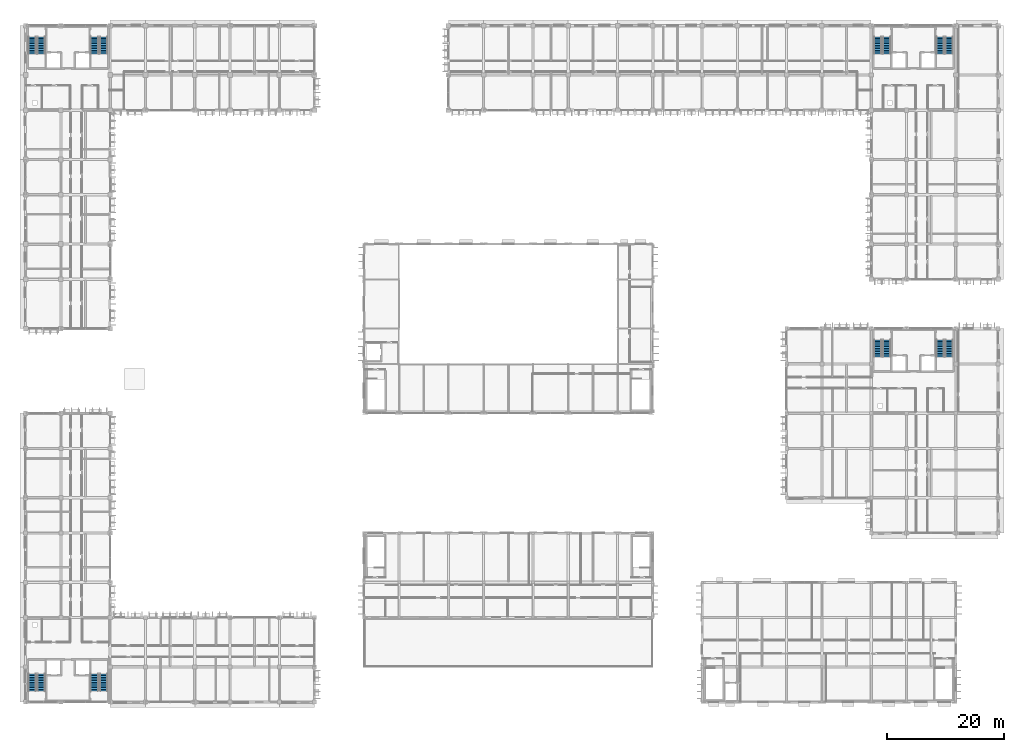
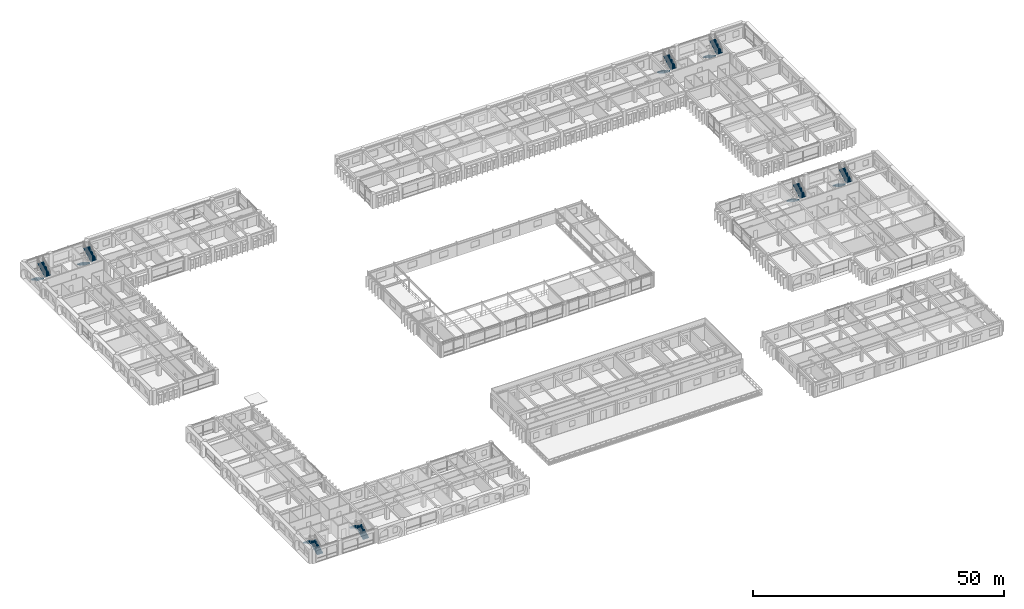
# One storey, part 68 of 88: 16 stair flights, 8 elements without a shape of their own.
"""IFC4 building model written with IfcOpenShell, lengths in metres."""

from ifc_helpers import new_model, si_unit, direction, frame, origin, place, context, subcontext, project, spatial, polyline, outline, extrude, material, type_object, element, aggregate, save


model = new_model("IFC4")

# Units and contexts
model_context = context("Model", 3, precision=1e-05, world=origin(), true_north=direction((0.0, 1.0)))
body_context = subcontext(model_context, "Body", "Model", "MODEL_VIEW")
ifc_project = project(units=[si_unit("LENGTHUNIT", "METRE"), si_unit("AREAUNIT", "SQUARE_METRE"), si_unit("VOLUMEUNIT", "CUBIC_METRE"), si_unit("PLANEANGLEUNIT", "RADIAN"), si_unit("MASSUNIT", "GRAM", prefix="KILO"), si_unit("THERMODYNAMICTEMPERATUREUNIT", "KELVIN")], contexts=[model_context])

# Site, building, storey
site_placement = place(None, origin())
site = spatial("IfcSite", under=ifc_project, at=site_placement, CompositionType="ELEMENT")
building_placement = place(site_placement, origin())
building = spatial("IfcBuilding", under=site, at=building_placement, Name="Thalorik Housing Commons", CompositionType="ELEMENT")
storey_placement = place(building_placement, frame((0.0, 0.0, 4.5)))
storey = spatial("IfcBuildingStorey", under=building, at=storey_placement, Name="L01", CompositionType="ELEMENT", Elevation=4.5)

# Stair, stair flights
ifc_material = material(Name="Precast concrete C40/50", Category="concrete")
stair_type = type_object("IfcStairType", Name="ARC-STR-1350-R22", PredefinedType="HALF_TURN_STAIR", material=ifc_material)
stair_1_placement = place(storey_placement, origin())
stair_1 = element("IfcStair", 1, at=stair_1_placement, inside=storey, type_object=stair_type, Name="L01 Block A Smoke-Proof Stair 1", PredefinedType="HALF_TURN_STAIR")
stair_flight_type = type_object("IfcStairFlightType", Name="ARC-SFLT-1350-R11", PredefinedType="STRAIGHT", material=ifc_material)
stair_flight_1_placement = place(storey_placement, frame((9.52490234375, 121.699951171875, 0.0), z_axis=(0.0, 0.0, 1.0), x_axis=(0.0, -1.0, 0.0)))
stair_flight_1 = element("IfcStairFlight", 2, at=stair_flight_1_placement, type_object=stair_flight_type, Name="ST-A1 flight 1", NumberOfRisers=11, NumberOfTreads=10, PredefinedType="STRAIGHT", RiserHeight=0.163636364, TreadLength=0.29, context=body_context, shape_type="SweptSolid", body=[
    extrude(outline(polyline([(0.0, 0.0), (0.0, 0.16357421875), (0.2900390625, 0.16357421875), (0.2900390625, 0.327392578125), (0.580078125, 0.327392578125), (0.580078125, 0.490966796875), (0.8701171875, 0.490966796875), (0.8701171875, 0.654541015625), (1.159912109375, 0.654541015625), (1.159912109375, 0.818115234375), (1.449951171875, 0.818115234375), (1.449951171875, 0.98193359375), (1.739990234375, 0.98193359375), (1.739990234375, 1.1455078125), (2.030029296875, 1.1455078125), (2.030029296875, 1.30908203125), (2.320068359375, 1.30908203125), (2.320068359375, 1.47265625), (2.610107421875, 1.47265625), (2.610107421875, 1.636474609375), (2.89990234375, 1.636474609375), (2.89990234375, 1.800048828125), (2.89990234375, 1.45263671875), (0.325439453125, 0.0), (0.0, 0.0)])), frame((0.0, 0.675048828125, 0.0), z_axis=(0.0, -1.0, 0.0), x_axis=(1.0, 0.0, 0.0)), (0.0, 0.0, 1.0), 1.35009765625),
])
stair_flight_2_placement = place(storey_placement, frame((11.074951171875, 118.800048828125, 1.800048828125), z_axis=(0.0, 0.0, 1.0), x_axis=(0.0, 1.0, 0.0)))
stair_flight_2 = element("IfcStairFlight", 3, at=stair_flight_2_placement, type_object=stair_flight_type, Name="ST-A1 flight 2", NumberOfRisers=11, NumberOfTreads=10, PredefinedType="STRAIGHT", RiserHeight=0.163636364, TreadLength=0.29, context=body_context, shape_type="SweptSolid", body=[
    extrude(outline(polyline([(0.0, 0.0), (0.0, 0.16357421875), (0.2900390625, 0.16357421875), (0.2900390625, 0.327392578125), (0.580078125, 0.327392578125), (0.580078125, 0.490966796875), (0.8701171875, 0.490966796875), (0.8701171875, 0.654541015625), (1.159912109375, 0.654541015625), (1.159912109375, 0.818115234375), (1.449951171875, 0.818115234375), (1.449951171875, 0.98193359375), (1.739990234375, 0.98193359375), (1.739990234375, 1.1455078125), (2.030029296875, 1.1455078125), (2.030029296875, 1.30908203125), (2.320068359375, 1.30908203125), (2.320068359375, 1.47265625), (2.610107421875, 1.47265625), (2.610107421875, 1.636474609375), (2.89990234375, 1.636474609375), (2.89990234375, 1.800048828125), (2.89990234375, 1.45263671875), (0.325439453125, 0.0), (0.0, 0.0)])), frame((0.0, 0.675048828125, 0.0), z_axis=(0.0, -1.0, 0.0), x_axis=(1.0, 0.0, 0.0)), (0.0, 0.0, 1.0), 1.35009765625),
])
aggregate(stair_1, [stair_flight_1, stair_flight_2])

stair_2_placement = place(storey_placement, origin())
stair_2 = element("IfcStair", 4, at=stair_2_placement, inside=storey, type_object=stair_type, Name="L01 Block A Smoke-Proof Stair 2", PredefinedType="HALF_TURN_STAIR")
stair_flight_3_placement = place(storey_placement, frame((20.125, 121.699951171875, 0.0), z_axis=(0.0, 0.0, 1.0), x_axis=(0.0, -1.0, 0.0)))
stair_flight_3 = element("IfcStairFlight", 5, at=stair_flight_3_placement, type_object=stair_flight_type, Name="ST-A2 flight 1", NumberOfRisers=11, NumberOfTreads=10, PredefinedType="STRAIGHT", RiserHeight=0.163636364, TreadLength=0.29, context=body_context, shape_type="SweptSolid", body=[
    extrude(outline(polyline([(0.0, 0.0), (0.0, 0.16357421875), (0.2900390625, 0.16357421875), (0.2900390625, 0.327392578125), (0.580078125, 0.327392578125), (0.580078125, 0.490966796875), (0.8701171875, 0.490966796875), (0.8701171875, 0.654541015625), (1.159912109375, 0.654541015625), (1.159912109375, 0.818115234375), (1.449951171875, 0.818115234375), (1.449951171875, 0.98193359375), (1.739990234375, 0.98193359375), (1.739990234375, 1.1455078125), (2.030029296875, 1.1455078125), (2.030029296875, 1.30908203125), (2.320068359375, 1.30908203125), (2.320068359375, 1.47265625), (2.610107421875, 1.47265625), (2.610107421875, 1.636474609375), (2.89990234375, 1.636474609375), (2.89990234375, 1.800048828125), (2.89990234375, 1.45263671875), (0.325439453125, 0.0), (0.0, 0.0)])), frame((0.0, 0.675048828125, 0.0), z_axis=(0.0, -1.0, 0.0), x_axis=(1.0, 0.0, 0.0)), (0.0, 0.0, 1.0), 1.35009765625),
])
stair_flight_4_placement = place(storey_placement, frame((21.675048828125, 118.800048828125, 1.800048828125), z_axis=(0.0, 0.0, 1.0), x_axis=(0.0, 1.0, 0.0)))
stair_flight_4 = element("IfcStairFlight", 6, at=stair_flight_4_placement, type_object=stair_flight_type, Name="ST-A2 flight 2", NumberOfRisers=11, NumberOfTreads=10, PredefinedType="STRAIGHT", RiserHeight=0.163636364, TreadLength=0.29, context=body_context, shape_type="SweptSolid", body=[
    extrude(outline(polyline([(0.0, 0.0), (0.0, 0.16357421875), (0.2900390625, 0.16357421875), (0.2900390625, 0.327392578125), (0.580078125, 0.327392578125), (0.580078125, 0.490966796875), (0.8701171875, 0.490966796875), (0.8701171875, 0.654541015625), (1.159912109375, 0.654541015625), (1.159912109375, 0.818115234375), (1.449951171875, 0.818115234375), (1.449951171875, 0.98193359375), (1.739990234375, 0.98193359375), (1.739990234375, 1.1455078125), (2.030029296875, 1.1455078125), (2.030029296875, 1.30908203125), (2.320068359375, 1.30908203125), (2.320068359375, 1.47265625), (2.610107421875, 1.47265625), (2.610107421875, 1.636474609375), (2.89990234375, 1.636474609375), (2.89990234375, 1.800048828125), (2.89990234375, 1.45263671875), (0.325439453125, 0.0), (0.0, 0.0)])), frame((0.0, 0.675048828125, 0.0), z_axis=(0.0, -1.0, 0.0), x_axis=(1.0, 0.0, 0.0)), (0.0, 0.0, 1.0), 1.35009765625),
])
aggregate(stair_2, [stair_flight_3, stair_flight_4])

stair_3_placement = place(storey_placement, origin())
stair_3 = element("IfcStair", 7, at=stair_3_placement, inside=storey, type_object=stair_type, Name="L01 Block B Smoke-Proof Stair 1", PredefinedType="HALF_TURN_STAIR")
stair_flight_5_placement = place(storey_placement, frame((153.52490234375, 121.699951171875, 0.0), z_axis=(0.0, 0.0, 1.0), x_axis=(0.0, -1.0, 0.0)))
stair_flight_5 = element("IfcStairFlight", 8, at=stair_flight_5_placement, type_object=stair_flight_type, Name="ST-B1 flight 1", NumberOfRisers=11, NumberOfTreads=10, PredefinedType="STRAIGHT", RiserHeight=0.163636364, TreadLength=0.29, context=body_context, shape_type="SweptSolid", body=[
    extrude(outline(polyline([(0.0, 0.0), (0.0, 0.16357421875), (0.2900390625, 0.16357421875), (0.2900390625, 0.327392578125), (0.580078125, 0.327392578125), (0.580078125, 0.490966796875), (0.8701171875, 0.490966796875), (0.8701171875, 0.654541015625), (1.159912109375, 0.654541015625), (1.159912109375, 0.818115234375), (1.449951171875, 0.818115234375), (1.449951171875, 0.98193359375), (1.739990234375, 0.98193359375), (1.739990234375, 1.1455078125), (2.030029296875, 1.1455078125), (2.030029296875, 1.30908203125), (2.320068359375, 1.30908203125), (2.320068359375, 1.47265625), (2.610107421875, 1.47265625), (2.610107421875, 1.636474609375), (2.89990234375, 1.636474609375), (2.89990234375, 1.800048828125), (2.89990234375, 1.45263671875), (0.325439453125, 0.0), (0.0, 0.0)])), frame((0.0, 0.675048828125, 0.0), z_axis=(0.0, -1.0, 0.0), x_axis=(1.0, 0.0, 0.0)), (0.0, 0.0, 1.0), 1.35009765625),
])
stair_flight_6_placement = place(storey_placement, frame((155.074951171875, 118.800048828125, 1.800048828125), z_axis=(0.0, 0.0, 1.0), x_axis=(0.0, 1.0, 0.0)))
stair_flight_6 = element("IfcStairFlight", 9, at=stair_flight_6_placement, type_object=stair_flight_type, Name="ST-B1 flight 2", NumberOfRisers=11, NumberOfTreads=10, PredefinedType="STRAIGHT", RiserHeight=0.163636364, TreadLength=0.29, context=body_context, shape_type="SweptSolid", body=[
    extrude(outline(polyline([(0.0, 0.0), (0.0, 0.16357421875), (0.2900390625, 0.16357421875), (0.2900390625, 0.327392578125), (0.580078125, 0.327392578125), (0.580078125, 0.490966796875), (0.8701171875, 0.490966796875), (0.8701171875, 0.654541015625), (1.159912109375, 0.654541015625), (1.159912109375, 0.818115234375), (1.449951171875, 0.818115234375), (1.449951171875, 0.98193359375), (1.739990234375, 0.98193359375), (1.739990234375, 1.1455078125), (2.030029296875, 1.1455078125), (2.030029296875, 1.30908203125), (2.320068359375, 1.30908203125), (2.320068359375, 1.47265625), (2.610107421875, 1.47265625), (2.610107421875, 1.636474609375), (2.89990234375, 1.636474609375), (2.89990234375, 1.800048828125), (2.89990234375, 1.45263671875), (0.325439453125, 0.0), (0.0, 0.0)])), frame((0.0, 0.675048828125, 0.0), z_axis=(0.0, -1.0, 0.0), x_axis=(1.0, 0.0, 0.0)), (0.0, 0.0, 1.0), 1.35009765625),
])
aggregate(stair_3, [stair_flight_5, stair_flight_6])

stair_4_placement = place(storey_placement, origin())
stair_4 = element("IfcStair", 10, at=stair_4_placement, inside=storey, type_object=stair_type, Name="L01 Block B Smoke-Proof Stair 2", PredefinedType="HALF_TURN_STAIR")
stair_flight_7_placement = place(storey_placement, frame((164.125, 121.699951171875, 0.0), z_axis=(0.0, 0.0, 1.0), x_axis=(0.0, -1.0, 0.0)))
stair_flight_7 = element("IfcStairFlight", 11, at=stair_flight_7_placement, type_object=stair_flight_type, Name="ST-B2 flight 1", NumberOfRisers=11, NumberOfTreads=10, PredefinedType="STRAIGHT", RiserHeight=0.163636364, TreadLength=0.29, context=body_context, shape_type="SweptSolid", body=[
    extrude(outline(polyline([(0.0, 0.0), (0.0, 0.16357421875), (0.2900390625, 0.16357421875), (0.2900390625, 0.327392578125), (0.580078125, 0.327392578125), (0.580078125, 0.490966796875), (0.8701171875, 0.490966796875), (0.8701171875, 0.654541015625), (1.159912109375, 0.654541015625), (1.159912109375, 0.818115234375), (1.449951171875, 0.818115234375), (1.449951171875, 0.98193359375), (1.739990234375, 0.98193359375), (1.739990234375, 1.1455078125), (2.030029296875, 1.1455078125), (2.030029296875, 1.30908203125), (2.320068359375, 1.30908203125), (2.320068359375, 1.47265625), (2.610107421875, 1.47265625), (2.610107421875, 1.636474609375), (2.89990234375, 1.636474609375), (2.89990234375, 1.800048828125), (2.89990234375, 1.45263671875), (0.325439453125, 0.0), (0.0, 0.0)])), frame((0.0, 0.675048828125, 0.0), z_axis=(0.0, -1.0, 0.0), x_axis=(1.0, 0.0, 0.0)), (0.0, 0.0, 1.0), 1.35009765625),
])
stair_flight_8_placement = place(storey_placement, frame((165.675048828125, 118.800048828125, 1.800048828125), z_axis=(0.0, 0.0, 1.0), x_axis=(0.0, 1.0, 0.0)))
stair_flight_8 = element("IfcStairFlight", 12, at=stair_flight_8_placement, type_object=stair_flight_type, Name="ST-B2 flight 2", NumberOfRisers=11, NumberOfTreads=10, PredefinedType="STRAIGHT", RiserHeight=0.163636364, TreadLength=0.29, context=body_context, shape_type="SweptSolid", body=[
    extrude(outline(polyline([(0.0, 0.0), (0.0, 0.16357421875), (0.2900390625, 0.16357421875), (0.2900390625, 0.327392578125), (0.580078125, 0.327392578125), (0.580078125, 0.490966796875), (0.8701171875, 0.490966796875), (0.8701171875, 0.654541015625), (1.159912109375, 0.654541015625), (1.159912109375, 0.818115234375), (1.449951171875, 0.818115234375), (1.449951171875, 0.98193359375), (1.739990234375, 0.98193359375), (1.739990234375, 1.1455078125), (2.030029296875, 1.1455078125), (2.030029296875, 1.30908203125), (2.320068359375, 1.30908203125), (2.320068359375, 1.47265625), (2.610107421875, 1.47265625), (2.610107421875, 1.636474609375), (2.89990234375, 1.636474609375), (2.89990234375, 1.800048828125), (2.89990234375, 1.45263671875), (0.325439453125, 0.0), (0.0, 0.0)])), frame((0.0, 0.675048828125, 0.0), z_axis=(0.0, -1.0, 0.0), x_axis=(1.0, 0.0, 0.0)), (0.0, 0.0, 1.0), 1.35009765625),
])
aggregate(stair_4, [stair_flight_7, stair_flight_8])

stair_5_placement = place(storey_placement, origin())
stair_5 = element("IfcStair", 13, at=stair_5_placement, inside=storey, type_object=stair_type, Name="L01 Block C Smoke-Proof Stair 1", PredefinedType="HALF_TURN_STAIR")
stair_flight_9_placement = place(storey_placement, frame((11.074951171875, 10.300048828125, 0.0), z_axis=(0.0, 0.0, 1.0), x_axis=(0.0, 1.0, 0.0)))
stair_flight_9 = element("IfcStairFlight", 14, at=stair_flight_9_placement, type_object=stair_flight_type, Name="ST-C1 flight 1", NumberOfRisers=11, NumberOfTreads=10, PredefinedType="STRAIGHT", RiserHeight=0.163636364, TreadLength=0.29, context=body_context, shape_type="SweptSolid", body=[
    extrude(outline(polyline([(0.0, 0.0), (0.0, 0.16357421875), (0.2900390625, 0.16357421875), (0.2900390625, 0.327392578125), (0.580078125, 0.327392578125), (0.580078125, 0.490966796875), (0.8701171875, 0.490966796875), (0.8701171875, 0.654541015625), (1.159912109375, 0.654541015625), (1.159912109375, 0.818115234375), (1.449951171875, 0.818115234375), (1.449951171875, 0.98193359375), (1.739990234375, 0.98193359375), (1.739990234375, 1.1455078125), (2.030029296875, 1.1455078125), (2.030029296875, 1.30908203125), (2.320068359375, 1.30908203125), (2.320068359375, 1.47265625), (2.610107421875, 1.47265625), (2.610107421875, 1.636474609375), (2.89990234375, 1.636474609375), (2.89990234375, 1.800048828125), (2.89990234375, 1.45263671875), (0.325439453125, 0.0), (0.0, 0.0)])), frame((0.0, 0.675048828125, 0.0), z_axis=(0.0, -1.0, 0.0), x_axis=(1.0, 0.0, 0.0)), (0.0, 0.0, 1.0), 1.35009765625),
])
stair_flight_10_placement = place(storey_placement, frame((9.52490234375, 13.199951171875, 1.800048828125), z_axis=(0.0, 0.0, 1.0), x_axis=(0.0, -1.0, 0.0)))
stair_flight_10 = element("IfcStairFlight", 15, at=stair_flight_10_placement, type_object=stair_flight_type, Name="ST-C1 flight 2", NumberOfRisers=11, NumberOfTreads=10, PredefinedType="STRAIGHT", RiserHeight=0.163636364, TreadLength=0.29, context=body_context, shape_type="SweptSolid", body=[
    extrude(outline(polyline([(0.0, 0.0), (0.0, 0.16357421875), (0.2900390625, 0.16357421875), (0.2900390625, 0.327392578125), (0.580078125, 0.327392578125), (0.580078125, 0.490966796875), (0.8701171875, 0.490966796875), (0.8701171875, 0.654541015625), (1.159912109375, 0.654541015625), (1.159912109375, 0.818115234375), (1.449951171875, 0.818115234375), (1.449951171875, 0.98193359375), (1.739990234375, 0.98193359375), (1.739990234375, 1.1455078125), (2.030029296875, 1.1455078125), (2.030029296875, 1.30908203125), (2.320068359375, 1.30908203125), (2.320068359375, 1.47265625), (2.610107421875, 1.47265625), (2.610107421875, 1.636474609375), (2.89990234375, 1.636474609375), (2.89990234375, 1.800048828125), (2.89990234375, 1.45263671875), (0.325439453125, 0.0), (0.0, 0.0)])), frame((0.0, 0.675048828125, 0.0), z_axis=(0.0, -1.0, 0.0), x_axis=(1.0, 0.0, 0.0)), (0.0, 0.0, 1.0), 1.35009765625),
])
aggregate(stair_5, [stair_flight_9, stair_flight_10])

stair_6_placement = place(storey_placement, origin())
stair_6 = element("IfcStair", 16, at=stair_6_placement, inside=storey, type_object=stair_type, Name="L01 Block C Smoke-Proof Stair 2", PredefinedType="HALF_TURN_STAIR")
stair_flight_11_placement = place(storey_placement, frame((21.675048828125, 10.300048828125, 0.0), z_axis=(0.0, 0.0, 1.0), x_axis=(0.0, 1.0, 0.0)))
stair_flight_11 = element("IfcStairFlight", 17, at=stair_flight_11_placement, type_object=stair_flight_type, Name="ST-C2 flight 1", NumberOfRisers=11, NumberOfTreads=10, PredefinedType="STRAIGHT", RiserHeight=0.163636364, TreadLength=0.29, context=body_context, shape_type="SweptSolid", body=[
    extrude(outline(polyline([(0.0, 0.0), (0.0, 0.16357421875), (0.2900390625, 0.16357421875), (0.2900390625, 0.327392578125), (0.580078125, 0.327392578125), (0.580078125, 0.490966796875), (0.8701171875, 0.490966796875), (0.8701171875, 0.654541015625), (1.159912109375, 0.654541015625), (1.159912109375, 0.818115234375), (1.449951171875, 0.818115234375), (1.449951171875, 0.98193359375), (1.739990234375, 0.98193359375), (1.739990234375, 1.1455078125), (2.030029296875, 1.1455078125), (2.030029296875, 1.30908203125), (2.320068359375, 1.30908203125), (2.320068359375, 1.47265625), (2.610107421875, 1.47265625), (2.610107421875, 1.636474609375), (2.89990234375, 1.636474609375), (2.89990234375, 1.800048828125), (2.89990234375, 1.45263671875), (0.325439453125, 0.0), (0.0, 0.0)])), frame((0.0, 0.675048828125, 0.0), z_axis=(0.0, -1.0, 0.0), x_axis=(1.0, 0.0, 0.0)), (0.0, 0.0, 1.0), 1.35009765625),
])
stair_flight_12_placement = place(storey_placement, frame((20.125, 13.199951171875, 1.800048828125), z_axis=(0.0, 0.0, 1.0), x_axis=(0.0, -1.0, 0.0)))
stair_flight_12 = element("IfcStairFlight", 18, at=stair_flight_12_placement, type_object=stair_flight_type, Name="ST-C2 flight 2", NumberOfRisers=11, NumberOfTreads=10, PredefinedType="STRAIGHT", RiserHeight=0.163636364, TreadLength=0.29, context=body_context, shape_type="SweptSolid", body=[
    extrude(outline(polyline([(0.0, 0.0), (0.0, 0.16357421875), (0.2900390625, 0.16357421875), (0.2900390625, 0.327392578125), (0.580078125, 0.327392578125), (0.580078125, 0.490966796875), (0.8701171875, 0.490966796875), (0.8701171875, 0.654541015625), (1.159912109375, 0.654541015625), (1.159912109375, 0.818115234375), (1.449951171875, 0.818115234375), (1.449951171875, 0.98193359375), (1.739990234375, 0.98193359375), (1.739990234375, 1.1455078125), (2.030029296875, 1.1455078125), (2.030029296875, 1.30908203125), (2.320068359375, 1.30908203125), (2.320068359375, 1.47265625), (2.610107421875, 1.47265625), (2.610107421875, 1.636474609375), (2.89990234375, 1.636474609375), (2.89990234375, 1.800048828125), (2.89990234375, 1.45263671875), (0.325439453125, 0.0), (0.0, 0.0)])), frame((0.0, 0.675048828125, 0.0), z_axis=(0.0, -1.0, 0.0), x_axis=(1.0, 0.0, 0.0)), (0.0, 0.0, 1.0), 1.35009765625),
])
aggregate(stair_6, [stair_flight_11, stair_flight_12])

stair_7_placement = place(storey_placement, origin())
stair_7 = element("IfcStair", 19, at=stair_7_placement, inside=storey, type_object=stair_type, Name="L01 Block D Smoke-Proof Stair 1", PredefinedType="HALF_TURN_STAIR")
stair_flight_13_placement = place(storey_placement, frame((153.52490234375, 70.10009765625, 0.0), z_axis=(0.0, 0.0, 1.0), x_axis=(0.0, -1.0, 0.0)))
stair_flight_13 = element("IfcStairFlight", 20, at=stair_flight_13_placement, type_object=stair_flight_type, Name="ST-D1 flight 1", NumberOfRisers=11, NumberOfTreads=10, PredefinedType="STRAIGHT", RiserHeight=0.163636364, TreadLength=0.29, context=body_context, shape_type="SweptSolid", body=[
    extrude(outline(polyline([(0.0, 0.0), (0.0, 0.16357421875), (0.2900390625, 0.16357421875), (0.2900390625, 0.327392578125), (0.580078125, 0.327392578125), (0.580078125, 0.490966796875), (0.8701171875, 0.490966796875), (0.8701171875, 0.654541015625), (1.159912109375, 0.654541015625), (1.159912109375, 0.818115234375), (1.449951171875, 0.818115234375), (1.449951171875, 0.98193359375), (1.739990234375, 0.98193359375), (1.739990234375, 1.1455078125), (2.030029296875, 1.1455078125), (2.030029296875, 1.30908203125), (2.320068359375, 1.30908203125), (2.320068359375, 1.47265625), (2.610107421875, 1.47265625), (2.610107421875, 1.636474609375), (2.89990234375, 1.636474609375), (2.89990234375, 1.800048828125), (2.89990234375, 1.45263671875), (0.325439453125, 0.0), (0.0, 0.0)])), frame((0.0, 0.675048828125, 0.0), z_axis=(0.0, -1.0, 0.0), x_axis=(1.0, 0.0, 0.0)), (0.0, 0.0, 1.0), 1.35009765625),
])
stair_flight_14_placement = place(storey_placement, frame((155.074951171875, 67.199951171875, 1.800048828125), z_axis=(0.0, 0.0, 1.0), x_axis=(0.0, 1.0, 0.0)))
stair_flight_14 = element("IfcStairFlight", 21, at=stair_flight_14_placement, type_object=stair_flight_type, Name="ST-D1 flight 2", NumberOfRisers=11, NumberOfTreads=10, PredefinedType="STRAIGHT", RiserHeight=0.163636364, TreadLength=0.29, context=body_context, shape_type="SweptSolid", body=[
    extrude(outline(polyline([(0.0, 0.0), (0.0, 0.16357421875), (0.2900390625, 0.16357421875), (0.2900390625, 0.327392578125), (0.580078125, 0.327392578125), (0.580078125, 0.490966796875), (0.8701171875, 0.490966796875), (0.8701171875, 0.654541015625), (1.159912109375, 0.654541015625), (1.159912109375, 0.818115234375), (1.449951171875, 0.818115234375), (1.449951171875, 0.98193359375), (1.739990234375, 0.98193359375), (1.739990234375, 1.1455078125), (2.030029296875, 1.1455078125), (2.030029296875, 1.30908203125), (2.320068359375, 1.30908203125), (2.320068359375, 1.47265625), (2.610107421875, 1.47265625), (2.610107421875, 1.636474609375), (2.89990234375, 1.636474609375), (2.89990234375, 1.800048828125), (2.89990234375, 1.45263671875), (0.325439453125, 0.0), (0.0, 0.0)])), frame((0.0, 0.675048828125, 0.0), z_axis=(0.0, -1.0, 0.0), x_axis=(1.0, 0.0, 0.0)), (0.0, 0.0, 1.0), 1.35009765625),
])
aggregate(stair_7, [stair_flight_13, stair_flight_14])

stair_8_placement = place(storey_placement, origin())
stair_8 = element("IfcStair", 22, at=stair_8_placement, inside=storey, type_object=stair_type, Name="L01 Block D Smoke-Proof Stair 2", PredefinedType="HALF_TURN_STAIR")
stair_flight_15_placement = place(storey_placement, frame((164.125, 70.10009765625, 0.0), z_axis=(0.0, 0.0, 1.0), x_axis=(0.0, -1.0, 0.0)))
stair_flight_15 = element("IfcStairFlight", 23, at=stair_flight_15_placement, type_object=stair_flight_type, Name="ST-D2 flight 1", NumberOfRisers=11, NumberOfTreads=10, PredefinedType="STRAIGHT", RiserHeight=0.163636364, TreadLength=0.29, context=body_context, shape_type="SweptSolid", body=[
    extrude(outline(polyline([(0.0, 0.0), (0.0, 0.16357421875), (0.2900390625, 0.16357421875), (0.2900390625, 0.327392578125), (0.580078125, 0.327392578125), (0.580078125, 0.490966796875), (0.8701171875, 0.490966796875), (0.8701171875, 0.654541015625), (1.159912109375, 0.654541015625), (1.159912109375, 0.818115234375), (1.449951171875, 0.818115234375), (1.449951171875, 0.98193359375), (1.739990234375, 0.98193359375), (1.739990234375, 1.1455078125), (2.030029296875, 1.1455078125), (2.030029296875, 1.30908203125), (2.320068359375, 1.30908203125), (2.320068359375, 1.47265625), (2.610107421875, 1.47265625), (2.610107421875, 1.636474609375), (2.89990234375, 1.636474609375), (2.89990234375, 1.800048828125), (2.89990234375, 1.45263671875), (0.325439453125, 0.0), (0.0, 0.0)])), frame((0.0, 0.675048828125, 0.0), z_axis=(0.0, -1.0, 0.0), x_axis=(1.0, 0.0, 0.0)), (0.0, 0.0, 1.0), 1.35009765625),
])
stair_flight_16_placement = place(storey_placement, frame((165.675048828125, 67.199951171875, 1.800048828125), z_axis=(0.0, 0.0, 1.0), x_axis=(0.0, 1.0, 0.0)))
stair_flight_16 = element("IfcStairFlight", 24, at=stair_flight_16_placement, type_object=stair_flight_type, Name="ST-D2 flight 2", NumberOfRisers=11, NumberOfTreads=10, PredefinedType="STRAIGHT", RiserHeight=0.163636364, TreadLength=0.29, context=body_context, shape_type="SweptSolid", body=[
    extrude(outline(polyline([(0.0, 0.0), (0.0, 0.16357421875), (0.2900390625, 0.16357421875), (0.2900390625, 0.327392578125), (0.580078125, 0.327392578125), (0.580078125, 0.490966796875), (0.8701171875, 0.490966796875), (0.8701171875, 0.654541015625), (1.159912109375, 0.654541015625), (1.159912109375, 0.818115234375), (1.449951171875, 0.818115234375), (1.449951171875, 0.98193359375), (1.739990234375, 0.98193359375), (1.739990234375, 1.1455078125), (2.030029296875, 1.1455078125), (2.030029296875, 1.30908203125), (2.320068359375, 1.30908203125), (2.320068359375, 1.47265625), (2.610107421875, 1.47265625), (2.610107421875, 1.636474609375), (2.89990234375, 1.636474609375), (2.89990234375, 1.800048828125), (2.89990234375, 1.45263671875), (0.325439453125, 0.0), (0.0, 0.0)])), frame((0.0, 0.675048828125, 0.0), z_axis=(0.0, -1.0, 0.0), x_axis=(1.0, 0.0, 0.0)), (0.0, 0.0, 1.0), 1.35009765625),
])
aggregate(stair_8, [stair_flight_15, stair_flight_16])

save(model, "model.ifc")
